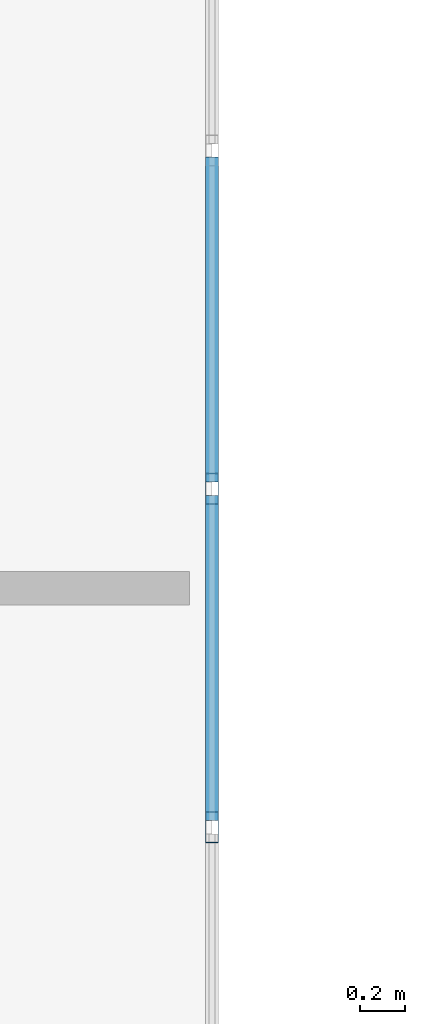
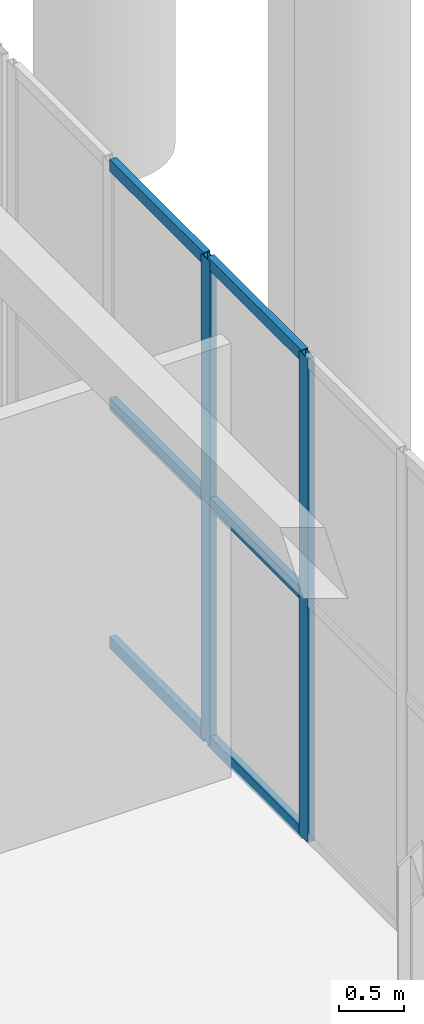
# One storey, part 108 of 192: 8 members, 1 element without a shape of its own.
"""IFC4 building model written with IfcOpenShell, lengths in metres."""

from ifc_helpers import new_model, si_unit, direction, frame, origin, origin_2d, place, context, subcontext, project, spatial, hollow_rectangle, extrude, material, layer, layer_set, material_profile, profile_set, type_object, element, aggregate, save


model = new_model("IFC4")

# Units and contexts
model_context = context("Model", 3, precision=1e-05, world=origin(), true_north=direction((0.0, 1.0)))
body_context = subcontext(model_context, "Body", "Model", "MODEL_VIEW")
ifc_project = project(units=[si_unit("LENGTHUNIT", "METRE"), si_unit("AREAUNIT", "SQUARE_METRE"), si_unit("VOLUMEUNIT", "CUBIC_METRE"), si_unit("PLANEANGLEUNIT", "RADIAN"), si_unit("MASSUNIT", "GRAM", prefix="KILO")], contexts=[model_context])

# Site, building, storey
site_placement = place(None, origin())
site = spatial("IfcSite", under=ifc_project, at=site_placement, CompositionType="ELEMENT")
building_placement = place(site_placement, origin())
building = spatial("IfcBuilding", under=site, at=building_placement, Name="Trelvath General Hospital", CompositionType="ELEMENT")
storey_placement = place(building_placement, origin())
storey = spatial("IfcBuildingStorey", under=building, at=storey_placement, Name="L00", CompositionType="ELEMENT", Elevation=0.0)

# Curtain wall, members
ifc_material_1 = material(Name="Anodised aluminium and low-E glass", Category="aluminium")
ifc_layer = layer(ifc_material_1, 0.139892578125)
ifc_layer_set = layer_set([ifc_layer], Name="Anodised aluminium and low-E glass")
curtain_wall_type = type_object("IfcCurtainWallType", Name="CW CrystalCube 1664 456 14", PredefinedType="USERDEFINED", material=ifc_layer_set)
curtain_wall_placement = place(storey_placement, origin())
curtain_wall = element("IfcCurtainWall", 1, at=curtain_wall_placement, inside=storey, type_object=curtain_wall_type, Name="Crystal Cube Curtain Wall CUBE-E-T0 E4 L00", ObjectType="Unitised Glazed Curtain Wall", PredefinedType="USERDEFINED")
ifc_material_2 = material(Name="Anodised aluminium", Category="aluminium")
ifc_material_profile_1 = material_profile(ifc_material_2, hollow_rectangle(XDim=0.06005859375, YDim=0.139892578125, WallThickness=0.00390625, at=origin_2d()), Name="RHS60x140x4")
ifc_profile_set_1 = profile_set([ifc_material_profile_1], Name="Anodised aluminium")
member_type_1 = type_object("IfcMemberType", Name="CurtainMullion 60x140", PredefinedType="MULLION", material=ifc_profile_set_1)
member_1_placement = place(storey_placement, frame((121.199951171875, 64.094482421875, 0.0), z_axis=(0.0, 0.0, 1.0), x_axis=(1.0, 0.0, 0.0)))
member_1 = element("IfcMember", 2, at=member_1_placement, type_object=member_type_1, Name="CW-121 mullion 3", PredefinedType="MULLION", context=body_context, shape_type="SweptSolid", body=[
    extrude(hollow_rectangle(XDim=0.06005859375, YDim=0.139892578125, WallThickness=0.00390625, at=origin_2d()), origin(), (0.0, 0.0, 1.0), 4.56005859375),
])
member_2_placement = place(storey_placement, frame((121.199951171875, 62.581787109375, 0.0), z_axis=(0.0, 0.0, 1.0), x_axis=(1.0, 0.0, 0.0)))
member_2 = element("IfcMember", 3, at=member_2_placement, type_object=member_type_1, Name="CW-121 mullion 4", PredefinedType="MULLION", context=body_context, shape_type="SweptSolid", body=[
    extrude(hollow_rectangle(XDim=0.06005859375, YDim=0.139892578125, WallThickness=0.00390625, at=origin_2d()), origin(), (0.0, 0.0, 1.0), 4.56005859375),
])
ifc_material_3 = material(Name="Anodised aluminium", Category="aluminium")
ifc_material_profile_2 = material_profile(ifc_material_3, hollow_rectangle(XDim=0.06005859375, YDim=0.110107421875, WallThickness=0.00390625, at=origin_2d()), Name="RHS60x110x4")
ifc_profile_set_2 = profile_set([ifc_material_profile_2], Name="Anodised aluminium")
member_type_2 = type_object("IfcMemberType", Name="CurtainTransom 60x110", PredefinedType="USERDEFINED", material=ifc_profile_set_2)
member_3_placement = place(storey_placement, frame((121.199951171875, 65.577392578125, 0.030029296875), z_axis=(0.0, -1.0, 0.0), x_axis=(1.0, 0.0, 0.0)))
member_3 = element("IfcMember", 4, at=member_3_placement, type_object=member_type_2, Name="CW-121 transom 2.1", ObjectType="TRANSOM", PredefinedType="USERDEFINED", context=body_context, shape_type="SweptSolid", body=[
    extrude(hollow_rectangle(XDim=0.06005859375, YDim=0.110107421875, WallThickness=0.00390625, at=origin_2d()), origin(), (0.0, 0.0, 1.0), 1.452880859375),
])
member_4_placement = place(storey_placement, frame((121.199951171875, 65.577392578125, 2.280029296875), z_axis=(0.0, -1.0, 0.0), x_axis=(1.0, 0.0, 0.0)))
member_4 = element("IfcMember", 5, at=member_4_placement, type_object=member_type_2, Name="CW-121 transom 2.2", ObjectType="TRANSOM", PredefinedType="USERDEFINED", context=body_context, shape_type="SweptSolid", body=[
    extrude(hollow_rectangle(XDim=0.06005859375, YDim=0.110107421875, WallThickness=0.00390625, at=origin_2d()), origin(), (0.0, 0.0, 1.0), 1.452880859375),
])
member_5_placement = place(storey_placement, frame((121.199951171875, 65.577392578125, 4.530029296875), z_axis=(0.0, -1.0, 0.0), x_axis=(1.0, 0.0, 0.0)))
member_5 = element("IfcMember", 6, at=member_5_placement, type_object=member_type_2, Name="CW-121 transom 2.3", ObjectType="TRANSOM", PredefinedType="USERDEFINED", context=body_context, shape_type="SweptSolid", body=[
    extrude(hollow_rectangle(XDim=0.06005859375, YDim=0.110107421875, WallThickness=0.00390625, at=origin_2d()), origin(), (0.0, 0.0, 1.0), 1.452880859375),
])
member_6_placement = place(storey_placement, frame((121.199951171875, 64.064453125, 0.030029296875), z_axis=(0.0, -1.0, 0.0), x_axis=(1.0, 0.0, 0.0)))
member_6 = element("IfcMember", 7, at=member_6_placement, type_object=member_type_2, Name="CW-121 transom 3.1", ObjectType="TRANSOM", PredefinedType="USERDEFINED", context=body_context, shape_type="SweptSolid", body=[
    extrude(hollow_rectangle(XDim=0.06005859375, YDim=0.110107421875, WallThickness=0.00390625, at=origin_2d()), origin(), (0.0, 0.0, 1.0), 1.45263671875),
])
member_7_placement = place(storey_placement, frame((121.199951171875, 64.064453125, 2.280029296875), z_axis=(0.0, -1.0, 0.0), x_axis=(1.0, 0.0, 0.0)))
member_7 = element("IfcMember", 8, at=member_7_placement, type_object=member_type_2, Name="CW-121 transom 3.2", ObjectType="TRANSOM", PredefinedType="USERDEFINED", context=body_context, shape_type="SweptSolid", body=[
    extrude(hollow_rectangle(XDim=0.06005859375, YDim=0.110107421875, WallThickness=0.00390625, at=origin_2d()), origin(), (0.0, 0.0, 1.0), 1.45263671875),
])
member_8_placement = place(storey_placement, frame((121.199951171875, 64.064453125, 4.530029296875), z_axis=(0.0, -1.0, 0.0), x_axis=(1.0, 0.0, 0.0)))
member_8 = element("IfcMember", 9, at=member_8_placement, type_object=member_type_2, Name="CW-121 transom 3.3", ObjectType="TRANSOM", PredefinedType="USERDEFINED", context=body_context, shape_type="SweptSolid", body=[
    extrude(hollow_rectangle(XDim=0.06005859375, YDim=0.110107421875, WallThickness=0.00390625, at=origin_2d()), origin(), (0.0, 0.0, 1.0), 1.45263671875),
])
aggregate(curtain_wall, [member_1, member_2, member_3, member_4, member_5, member_6, member_7, member_8])

save(model, "model.ifc")
